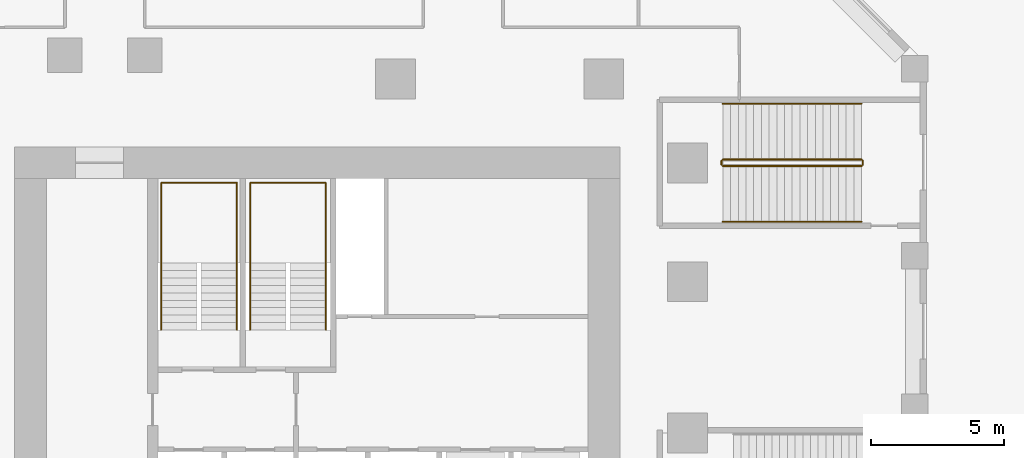
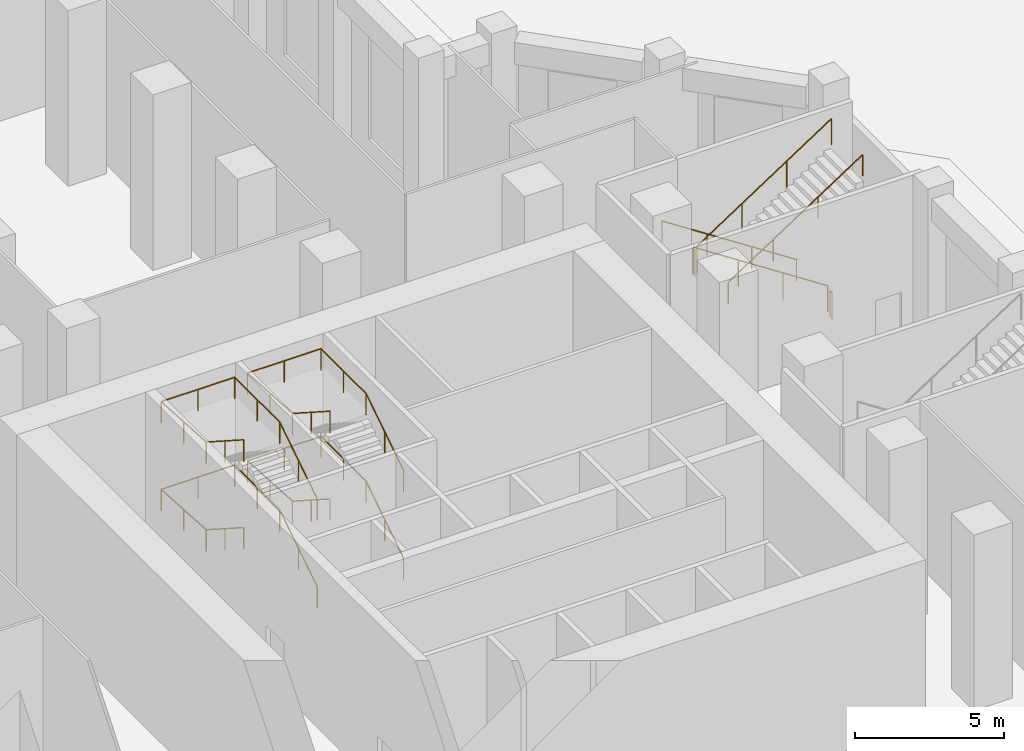
# One storey, part 25 of 27: 10 railings.
"""IFC4 building model written with IfcOpenShell, lengths in metres."""

import ifcopenshell
import ifcopenshell.guid

model = None  # the IFC model being written
_history = None  # IfcOwnerHistory: only IFC2X3 demands one
_inside = {}  # id of a spatial element -> (the spatial element, [elements in it])
_under = {}  # id of a project, library or spatial element -> (it, [spatial elements below it])
_declared = {}  # id of a project -> (the project, [libraries it declares])
_typed = {}  # id of a type object -> (the type object, [elements of that type])
_made_of = {}  # id of a material, layer set ... -> (it, [elements and type objects made of it])


def new_model(schema):
    """Start an empty IFC model of exactly this schema.

    Asked for "IFC4X3", IfcOpenShell would pick the latest addendum, in which some entities
    have other attributes; the version numbers below select the first issue.
    IFC2X3 requires an IfcOwnerHistory on every rooted entity: one is made here for all.
    """
    global model, _history
    if schema == "IFC4X3":
        model = ifcopenshell.file(schema_version=(4, 3, 0, 0))
    else:
        model = ifcopenshell.file(schema=schema)
    _inside.clear()
    _under.clear()
    _declared.clear()
    _typed.clear()
    _made_of.clear()
    _history = None
    if model.schema == "IFC2X3":
        org = make("IfcOrganization", Name="unknown")
        user = make(
            "IfcPersonAndOrganization",
            ThePerson=make("IfcPerson", FamilyName="unknown"),
            TheOrganization=org,
        )
        app = make(
            "IfcApplication",
            ApplicationDeveloper=org,
            Version="unknown",
            ApplicationFullName="unknown",
            ApplicationIdentifier="unknown",
        )
        _history = make(
            "IfcOwnerHistory",
            OwningUser=user,
            OwningApplication=app,
            ChangeAction="ADDED",
            CreationDate=0,
        )
    return model


def make(cls, **values):
    """One entity of the class cls with the attributes given. An attribute that is None is left unset."""
    return model.create_entity(
        cls, **{name: value for name, value in values.items() if value is not None}
    )


def rooted(cls, **values):
    """An entity with a GlobalId (a new one), such as an element, a storey or a relation."""
    return make(cls, GlobalId=ifcopenshell.guid.new(), OwnerHistory=_history, **values)


def si_unit(unit_type, name, prefix=None):
    """IfcSIUnit, for example si_unit("LENGTHUNIT", "METRE", prefix="MILLI")."""
    return make("IfcSIUnit", UnitType=unit_type, Prefix=prefix, Name=name)


def assignment(units):
    """IfcUnitAssignment: the units of a project."""
    return None if units is None else make("IfcUnitAssignment", Units=units)


def point(xyz):
    """IfcCartesianPoint."""
    return None if xyz is None else make("IfcCartesianPoint", Coordinates=xyz)


def direction(xyz):
    """IfcDirection."""
    return None if xyz is None else make("IfcDirection", DirectionRatios=xyz)


def frame(location, z_axis=None, x_axis=None):
    """IfcAxis2Placement3D, a coordinate frame: its origin and axes. An axis left out is left unset."""
    return make(
        "IfcAxis2Placement3D",
        Location=point(location),
        Axis=direction(z_axis),
        RefDirection=direction(x_axis),
    )


def frame_2d(location, x_axis=None):
    """IfcAxis2Placement2D, a coordinate frame in the plane: its origin and x axis."""
    return make(
        "IfcAxis2Placement2D", Location=point(location), RefDirection=direction(x_axis)
    )


def origin():
    """The frame at (0, 0, 0) with its axes left unset."""
    return frame((0.0, 0.0, 0.0))


def origin_2d():
    """The frame at (0, 0) in the plane with its x axis left unset."""
    return frame_2d((0.0, 0.0))


def place(relative_to, where):
    """IfcLocalPlacement: puts the frame where relative to a parent placement (None: the world)."""
    return make(
        "IfcLocalPlacement", PlacementRelTo=relative_to, RelativePlacement=where
    )


def context(
    kind, dimensions, precision=None, world=None, true_north=None, identifier=None
):
    """IfcGeometricRepresentationContext, for example the 3D "Model" context."""
    return make(
        "IfcGeometricRepresentationContext",
        ContextIdentifier=identifier,
        ContextType=kind,
        CoordinateSpaceDimension=dimensions,
        Precision=precision,
        WorldCoordinateSystem=world,
        TrueNorth=true_north,
    )


def subcontext(parent, identifier, kind, view, scale=None):
    """IfcGeometricRepresentationSubContext, for example "Body" below "Model"."""
    return make(
        "IfcGeometricRepresentationSubContext",
        ContextIdentifier=identifier,
        ContextType=kind,
        ParentContext=parent,
        TargetScale=scale,
        TargetView=view,
    )


def project(units=None, contexts=None):
    """IfcProject with its units and contexts."""
    return rooted(
        "IfcProject",
        Name="project",
        RepresentationContexts=contexts,
        UnitsInContext=assignment(units),
    )


def spatial(cls, under=None, at=None, **own):
    """A site, building, storey or space (cls), placed at a placement, below another one or the project."""
    s = rooted(cls, ObjectPlacement=at, **own)
    if under is not None:
        _under.setdefault(under.id(), (under, []))[1].append(s)
    return s


def profile(cls, at=None, kind="AREA", **sizes):
    """A parametric profile (cls). Its sizes go by their IFC names, for example OverallWidth=200.0."""
    return make(cls, ProfileType=kind, Position=at, **sizes)


def circle(**sizes):
    """IfcCircleProfileDef."""
    return profile("IfcCircleProfileDef", **sizes)


def extrude(swept, where, along, depth):
    """IfcExtrudedAreaSolid: the profile swept, set in the frame where, extruded along a direction by depth."""
    return make(
        "IfcExtrudedAreaSolid",
        SweptArea=swept,
        Position=where,
        ExtrudedDirection=direction(along),
        Depth=depth,
    )


def shape(context_of_items, identifier, shape_type, items):
    """IfcShapeRepresentation: the items that make up one representation, for example the "Body"."""
    return make(
        "IfcShapeRepresentation",
        ContextOfItems=context_of_items,
        RepresentationIdentifier=identifier,
        RepresentationType=shape_type,
        Items=items,
    )


def material(Name=None, Category=None):
    """IfcMaterial."""
    return make("IfcMaterial", Name=Name, Category=Category)


def made_of(thing, what):
    """Note that an element or type object is made of a material, layer set ...; save() writes the relation."""
    if what is not None:
        _made_of.setdefault(what.id(), (what, []))[1].append(thing)
    return thing


def type_object(cls, material=None, **own):
    """A type object (cls), such as IfcWallType, which elements share."""
    return made_of(rooted(cls, **own), material)


def element(
    cls,
    number,
    at=None,
    inside=None,
    cuts=None,
    type_object=None,
    material=None,
    context=None,
    identifier="Body",
    shape_type=None,
    held_by="IfcProductDefinitionShape",
    body=None,
    shapes=None,
    **own,
):
    """One element of the class cls, such as IfcWall. Its Tag is "e" and its number.

    at: its placement. inside: the storey or other place that contains it. cuts: it is an
    opening in that element (IfcRelVoidsElement). A single representation is given by context,
    identifier, shape_type and body (its items); several are given by shapes. held_by: the class
    of the entity that holds the representations. save() writes the other relations.
    """
    e = rooted(cls, Tag="e%d" % number, ObjectPlacement=at, **own)
    if body is not None:
        shapes = [shape(context, identifier, shape_type, body)]
    if shapes is not None:
        e.Representation = make(held_by, Representations=shapes)
    if inside is not None:
        _inside.setdefault(inside.id(), (inside, []))[1].append(e)
    if cuts is not None:
        rooted(
            "IfcRelVoidsElement", RelatingBuildingElement=cuts, RelatedOpeningElement=e
        )
    if type_object is not None:
        _typed.setdefault(type_object.id(), (type_object, []))[1].append(e)
    return made_of(e, material)


def aggregate(whole, parts):
    """IfcRelAggregates: a whole, such as a stair, and the parts it consists of."""
    return rooted("IfcRelAggregates", RelatingObject=whole, RelatedObjects=parts)


def save(model, path):
    """Write the relations noted so far, then the file.

    IfcRelAggregates (storeys below a building ...), IfcRelContainedInSpatialStructure (elements
    in a storey), IfcRelDefinesByType, IfcRelAssociatesMaterial and IfcRelDeclares: one each for
    every whole, place, type object, material and project.
    """
    for whole, parts in _under.values():
        aggregate(whole, parts)
    for where, things in _inside.values():
        rooted(
            "IfcRelContainedInSpatialStructure",
            RelatedElements=things,
            RelatingStructure=where,
        )
    for kind, things in _typed.values():
        rooted("IfcRelDefinesByType", RelatedObjects=things, RelatingType=kind)
    for what, things in _made_of.values():
        rooted("IfcRelAssociatesMaterial", RelatedObjects=things, RelatingMaterial=what)
    for by, libraries in _declared.values():
        rooted("IfcRelDeclares", RelatingContext=by, RelatedDefinitions=libraries)
    model.write(path)


model = new_model("IFC4")

# Units and contexts
model_context = context("Model", 3, precision=1e-05, world=origin(), true_north=direction((0.0, 1.0)))
body_context = subcontext(model_context, "Body", "Model", "MODEL_VIEW")
ifc_project = project(units=[si_unit("LENGTHUNIT", "METRE"), si_unit("AREAUNIT", "SQUARE_METRE"), si_unit("VOLUMEUNIT", "CUBIC_METRE"), si_unit("PLANEANGLEUNIT", "RADIAN"), si_unit("MASSUNIT", "GRAM", prefix="KILO")], contexts=[model_context])

# Site, building, storey
site_placement = place(None, origin())
site = spatial("IfcSite", under=ifc_project, at=site_placement, CompositionType="ELEMENT")
building_placement = place(site_placement, origin())
building = spatial("IfcBuilding", under=site, at=building_placement, Name="Meshkara Civic Tower", CompositionType="ELEMENT")
storey_placement = place(building_placement, origin())
storey = spatial("IfcBuildingStorey", under=building, at=storey_placement, Name="L00", CompositionType="ELEMENT", Elevation=0.0)

# Railings
ifc_material_1 = material(Name="Steel guard", Category="steel")
railing_type_1 = type_object("IfcRailingType", Name="Podium stair guard 1100", PredefinedType="GUARDRAIL", material=ifc_material_1)
railing_1_placement = place(storey_placement, frame((39.89990234375, 36.425048828125, 0.189453125)))
element("IfcRailing", 1, at=railing_1_placement, inside=storey, type_object=railing_type_1, Name="L00 PS6 stair guard 1", PredefinedType="GUARDRAIL", context=body_context, shape_type="SweptSolid", body=[
    extrude(circle(Radius=0.02392578125, at=origin_2d()), frame((0.0, 0.0, 1.076171875), z_axis=(-0.837146837253, 0.0, 0.546978219747), x_axis=(0.0, -1.0, 0.0)), (0.0, 0.0, 1.0), 6.2353515625),
    extrude(circle(Radius=0.02099609375, at=origin_2d()), origin(), (0.0, 0.0, 1.0), 1.052001953125),
    extrude(circle(Radius=0.02099609375, at=origin_2d()), frame((-1.739990234375, 0.0, 1.136962890625)), (0.0, 0.0, 1.0), 1.052001953125),
    extrude(circle(Radius=0.02099609375, at=origin_2d()), frame((-3.47998046875, 0.0, 2.273681640625)), (0.0, 0.0, 1.0), 1.052001953125),
    extrude(circle(Radius=0.02099609375, at=origin_2d()), frame((-5.219970703125, 0.0, 3.41064453125)), (0.0, 0.0, 1.0), 1.052001953125),
])
railing_2_placement = place(storey_placement, frame((34.6298828125, 36.375, 3.60009765625)))
element("IfcRailing", 2, at=railing_2_placement, inside=storey, type_object=railing_type_1, Name="L00 PS6 stair guard 2", PredefinedType="GUARDRAIL", context=body_context, shape_type="SweptSolid", body=[
    extrude(circle(Radius=0.02392578125, at=origin_2d()), frame((0.0, 0.0, 1.076171875), z_axis=(0.0, -1.0, 0.0), x_axis=(1.0, 0.0, 0.0)), (0.0, 0.0, 1.0), 0.14990234375),
    extrude(circle(Radius=0.02099609375, at=origin_2d()), origin(), (0.0, 0.0, 1.0), 1.052001953125),
    extrude(circle(Radius=0.02099609375, at=origin_2d()), frame((0.0, -0.14990234375, 0.0)), (0.0, 0.0, 1.0), 1.052001953125),
])
railing_3_placement = place(storey_placement, frame((34.679931640625, 36.175048828125, 3.78955078125)))
element("IfcRailing", 3, at=railing_3_placement, inside=storey, type_object=railing_type_1, Name="L00 PS6 stair guard 3", PredefinedType="GUARDRAIL", context=body_context, shape_type="SweptSolid", body=[
    extrude(circle(Radius=0.02392578125, at=origin_2d()), frame((0.0, 0.0, 1.076171875), z_axis=(0.837164765742, 0.0, 0.546950779321), x_axis=(0.0, 1.0, 0.0)), (0.0, 0.0, 1.0), 6.2353515625),
    extrude(circle(Radius=0.02099609375, at=origin_2d()), origin(), (0.0, 0.0, 1.0), 1.052001953125),
    extrude(circle(Radius=0.02099609375, at=origin_2d()), frame((1.739990234375, 0.0, 1.13671875)), (0.0, 0.0, 1.0), 1.052001953125),
    extrude(circle(Radius=0.02099609375, at=origin_2d()), frame((3.47998046875, 0.0, 2.273681640625)), (0.0, 0.0, 1.0), 1.052001953125),
    extrude(circle(Radius=0.02099609375, at=origin_2d()), frame((5.219970703125, 0.0, 3.410400390625)), (0.0, 0.0, 1.0), 1.052001953125),
])
railing_4_placement = place(storey_placement, frame((39.949951171875, 36.375, 0.0)))
element("IfcRailing", 4, at=railing_4_placement, inside=storey, type_object=railing_type_1, Name="L00 PS6 stair guard 4", PredefinedType="GUARDRAIL", context=body_context, shape_type="SweptSolid", body=[
    extrude(circle(Radius=0.02392578125, at=origin_2d()), frame((0.0, 0.0, 1.076171875), z_axis=(0.0, -1.0, 0.0), x_axis=(1.0, 0.0, 0.0)), (0.0, 0.0, 1.0), 0.14990234375),
    extrude(circle(Radius=0.02099609375, at=origin_2d()), origin(), (0.0, 0.0, 1.0), 1.052001953125),
    extrude(circle(Radius=0.02099609375, at=origin_2d()), frame((0.0, -0.14990234375, 0.0)), (0.0, 0.0, 1.0), 1.052001953125),
])
ifc_material_2 = material(Name="Steel handrail", Category="steel")
railing_type_2 = type_object("IfcRailingType", Name="Podium stair handrail 900", PredefinedType="HANDRAIL", material=ifc_material_2)
railing_5_placement = place(storey_placement, frame((39.89990234375, 38.52490234375, 0.189453125)))
element("IfcRailing", 5, at=railing_5_placement, inside=storey, type_object=railing_type_2, Name="L00 PS6 stair handrail 1", PredefinedType="HANDRAIL", context=body_context, shape_type="SweptSolid", body=[
    extrude(circle(Radius=0.02392578125, at=origin_2d()), frame((0.0, 0.0, 0.8759765625), z_axis=(-0.837146837253, 0.0, 0.546978219747), x_axis=(0.0, -1.0, 0.0)), (0.0, 0.0, 1.0), 6.2353515625),
    extrude(circle(Radius=0.02099609375, at=origin_2d()), origin(), (0.0, 0.0, 1.0), 0.851806640625),
    extrude(circle(Radius=0.02099609375, at=origin_2d()), frame((-1.739990234375, 0.0, 1.136962890625)), (0.0, 0.0, 1.0), 0.851806640625),
    extrude(circle(Radius=0.02099609375, at=origin_2d()), frame((-3.47998046875, 0.0, 2.273681640625)), (0.0, 0.0, 1.0), 0.851806640625),
    extrude(circle(Radius=0.02099609375, at=origin_2d()), frame((-5.219970703125, 0.0, 3.41064453125)), (0.0, 0.0, 1.0), 0.851806640625),
])
railing_6_placement = place(storey_placement, frame((34.679931640625, 34.074951171875, 3.78955078125)))
element("IfcRailing", 6, at=railing_6_placement, inside=storey, type_object=railing_type_2, Name="L00 PS6 stair handrail 2", PredefinedType="HANDRAIL", context=body_context, shape_type="SweptSolid", body=[
    extrude(circle(Radius=0.02392578125, at=origin_2d()), frame((0.0, 0.0, 0.8759765625), z_axis=(0.837164765742, 0.0, 0.546950779321), x_axis=(0.0, 1.0, 0.0)), (0.0, 0.0, 1.0), 6.2353515625),
    extrude(circle(Radius=0.02099609375, at=origin_2d()), origin(), (0.0, 0.0, 1.0), 0.851806640625),
    extrude(circle(Radius=0.02099609375, at=origin_2d()), frame((1.739990234375, 0.0, 1.13671875)), (0.0, 0.0, 1.0), 0.851806640625),
    extrude(circle(Radius=0.02099609375, at=origin_2d()), frame((3.47998046875, 0.0, 2.273681640625)), (0.0, 0.0, 1.0), 0.851806640625),
    extrude(circle(Radius=0.02099609375, at=origin_2d()), frame((5.219970703125, 0.0, 3.410400390625)), (0.0, 0.0, 1.0), 0.851806640625),
])
ifc_material_3 = material(Name="Steel handrail", Category="steel")
railing_type_3 = type_object("IfcRailingType", Name="Stair handrail 900", PredefinedType="HANDRAIL", material=ifc_material_3)
railing_7_placement = place(storey_placement, frame((16.375, 30.0, 0.179931640625)))
element("IfcRailing", 7, at=railing_7_placement, inside=storey, type_object=railing_type_3, Name="L00 ST1 stair handrail 1", PredefinedType="HANDRAIL", context=body_context, shape_type="SweptSolid", body=[
    extrude(circle(Radius=0.02392578125, at=origin_2d()), frame((0.0, 0.0, 0.8759765625), z_axis=(0.0, 0.841162588446, 0.540782303519), x_axis=(-1.0, 0.0, 0.0)), (0.0, 0.0, 1.0), 2.995849609375),
    extrude(circle(Radius=0.02392578125, at=origin_2d()), frame((0.0, 2.52001953125, 2.49609375), z_axis=(0.0, 1.0, 0.0), x_axis=(-1.0, 0.0, 0.0)), (0.0, 0.0, 1.0), 3.030029296875),
    extrude(circle(Radius=0.02392578125, at=origin_2d()), frame((0.0, 5.550048828125, 2.49609375), z_axis=(-1.0, 0.0, 0.0), x_axis=(0.0, -1.0, 0.0)), (0.0, 0.0, 1.0), 2.85009765625),
    extrude(circle(Radius=0.02392578125, at=origin_2d()), frame((-2.85009765625, 5.550048828125, 2.49609375), z_axis=(0.0, -0.998241490634, 0.059278380356), x_axis=(1.0, 0.0, 0.0)), (0.0, 0.0, 1.0), 3.035400390625),
    extrude(circle(Radius=0.02392578125, at=origin_2d()), frame((-2.85009765625, 2.52001953125, 2.67578125), z_axis=(0.0, -0.841162588446, 0.540782303519), x_axis=(1.0, 0.0, 0.0)), (0.0, 0.0, 1.0), 2.995849609375),
    extrude(circle(Radius=0.02099609375, at=origin_2d()), origin(), (0.0, 0.0, 1.0), 0.851806640625),
    extrude(circle(Radius=0.02099609375, at=origin_2d()), frame((0.0, 1.260009765625, 0.81005859375)), (0.0, 0.0, 1.0), 0.851806640625),
    extrude(circle(Radius=0.02099609375, at=origin_2d()), frame((0.0, 2.52001953125, 1.6201171875)), (0.0, 0.0, 1.0), 0.851806640625),
    extrude(circle(Radius=0.02099609375, at=origin_2d()), frame((0.0, 4.03515625, 1.6201171875)), (0.0, 0.0, 1.0), 0.851806640625),
    extrude(circle(Radius=0.02099609375, at=origin_2d()), frame((0.0, 5.550048828125, 1.6201171875)), (0.0, 0.0, 1.0), 0.851806640625),
    extrude(circle(Radius=0.02099609375, at=origin_2d()), frame((-1.425048828125, 5.550048828125, 1.6201171875)), (0.0, 0.0, 1.0), 0.851806640625),
    extrude(circle(Radius=0.02099609375, at=origin_2d()), frame((-2.85009765625, 5.550048828125, 1.6201171875)), (0.0, 0.0, 1.0), 0.851806640625),
    extrude(circle(Radius=0.02099609375, at=origin_2d()), frame((-2.85009765625, 4.03515625, 1.7099609375)), (0.0, 0.0, 1.0), 0.851806640625),
    extrude(circle(Radius=0.02099609375, at=origin_2d()), frame((-2.85009765625, 2.52001953125, 1.800048828125)), (0.0, 0.0, 1.0), 0.851806640625),
    extrude(circle(Radius=0.02099609375, at=origin_2d()), frame((-2.85009765625, 1.260009765625, 2.610107421875)), (0.0, 0.0, 1.0), 0.851806640625),
    extrude(circle(Radius=0.02099609375, at=origin_2d()), frame((-2.85009765625, 0.0, 3.420166015625)), (0.0, 0.0, 1.0), 0.851806640625),
])
railing_8_placement = place(storey_placement, frame((16.375, 30.0, 3.780029296875)))
element("IfcRailing", 8, at=railing_8_placement, inside=storey, type_object=railing_type_3, Name="L00 ST1 stair handrail 2", PredefinedType="HANDRAIL", context=body_context, shape_type="SweptSolid", body=[
    extrude(circle(Radius=0.02392578125, at=origin_2d()), frame((0.0, 0.0, 0.8759765625), z_axis=(0.0, 0.841199657755, 0.540724639528), x_axis=(-1.0, 0.0, 0.0)), (0.0, 0.0, 1.0), 2.995849609375),
    extrude(circle(Radius=0.02392578125, at=origin_2d()), frame((0.0, 2.52001953125, 2.49560546875), z_axis=(0.0, 1.0, 0.0), x_axis=(-1.0, 0.0, 0.0)), (0.0, 0.0, 1.0), 3.030029296875),
    extrude(circle(Radius=0.02392578125, at=origin_2d()), frame((0.0, 5.550048828125, 2.49560546875), z_axis=(-1.0, 0.0, 0.0), x_axis=(0.0, -1.0, 0.0)), (0.0, 0.0, 1.0), 2.85009765625),
    extrude(circle(Radius=0.02392578125, at=origin_2d()), frame((-2.85009765625, 5.550048828125, 2.49560546875), z_axis=(0.0, -0.998236727945, 0.059358529145), x_axis=(1.0, 0.0, 0.0)), (0.0, 0.0, 1.0), 3.035400390625),
    extrude(circle(Radius=0.02392578125, at=origin_2d()), frame((-2.85009765625, 2.52001953125, 2.67578125), z_axis=(0.0, -0.841199657755, 0.540724639528), x_axis=(1.0, 0.0, 0.0)), (0.0, 0.0, 1.0), 2.995849609375),
    extrude(circle(Radius=0.02099609375, at=origin_2d()), origin(), (0.0, 0.0, 1.0), 0.851806640625),
    extrude(circle(Radius=0.02099609375, at=origin_2d()), frame((0.0, 1.260009765625, 0.81005859375)), (0.0, 0.0, 1.0), 0.851806640625),
    extrude(circle(Radius=0.02099609375, at=origin_2d()), frame((0.0, 2.52001953125, 1.619873046875)), (0.0, 0.0, 1.0), 0.851806640625),
    extrude(circle(Radius=0.02099609375, at=origin_2d()), frame((0.0, 4.03515625, 1.619873046875)), (0.0, 0.0, 1.0), 0.851806640625),
    extrude(circle(Radius=0.02099609375, at=origin_2d()), frame((0.0, 5.550048828125, 1.619873046875)), (0.0, 0.0, 1.0), 0.851806640625),
    extrude(circle(Radius=0.02099609375, at=origin_2d()), frame((-1.425048828125, 5.550048828125, 1.619873046875)), (0.0, 0.0, 1.0), 0.851806640625),
    extrude(circle(Radius=0.02099609375, at=origin_2d()), frame((-2.85009765625, 5.550048828125, 1.619873046875)), (0.0, 0.0, 1.0), 0.851806640625),
    extrude(circle(Radius=0.02099609375, at=origin_2d()), frame((-2.85009765625, 4.03515625, 1.7099609375)), (0.0, 0.0, 1.0), 0.851806640625),
    extrude(circle(Radius=0.02099609375, at=origin_2d()), frame((-2.85009765625, 2.52001953125, 1.800048828125)), (0.0, 0.0, 1.0), 0.851806640625),
    extrude(circle(Radius=0.02099609375, at=origin_2d()), frame((-2.85009765625, 1.260009765625, 2.60986328125)), (0.0, 0.0, 1.0), 0.851806640625),
    extrude(circle(Radius=0.02099609375, at=origin_2d()), frame((-2.85009765625, 0.0, 3.419921875)), (0.0, 0.0, 1.0), 0.851806640625),
])
railing_9_placement = place(storey_placement, frame((19.72509765625, 30.0, 0.179931640625)))
element("IfcRailing", 9, at=railing_9_placement, inside=storey, type_object=railing_type_3, Name="L00 ST2 stair handrail 1", PredefinedType="HANDRAIL", context=body_context, shape_type="SweptSolid", body=[
    extrude(circle(Radius=0.02392578125, at=origin_2d()), frame((0.0, 0.0, 0.8759765625), z_axis=(0.0, 0.841162588446, 0.540782303519), x_axis=(-1.0, 0.0, 0.0)), (0.0, 0.0, 1.0), 2.995849609375),
    extrude(circle(Radius=0.02392578125, at=origin_2d()), frame((0.0, 2.52001953125, 2.49609375), z_axis=(0.0, 1.0, 0.0), x_axis=(-1.0, 0.0, 0.0)), (0.0, 0.0, 1.0), 3.030029296875),
    extrude(circle(Radius=0.02392578125, at=origin_2d()), frame((0.0, 5.550048828125, 2.49609375), z_axis=(-1.0, 0.0, 0.0), x_axis=(0.0, -1.0, 0.0)), (0.0, 0.0, 1.0), 2.85009765625),
    extrude(circle(Radius=0.02392578125, at=origin_2d()), frame((-2.85009765625, 5.550048828125, 2.49609375), z_axis=(0.0, -0.998241490634, 0.059278380356), x_axis=(1.0, 0.0, 0.0)), (0.0, 0.0, 1.0), 3.035400390625),
    extrude(circle(Radius=0.02392578125, at=origin_2d()), frame((-2.85009765625, 2.52001953125, 2.67578125), z_axis=(0.0, -0.841162588446, 0.540782303519), x_axis=(1.0, 0.0, 0.0)), (0.0, 0.0, 1.0), 2.995849609375),
    extrude(circle(Radius=0.02099609375, at=origin_2d()), origin(), (0.0, 0.0, 1.0), 0.851806640625),
    extrude(circle(Radius=0.02099609375, at=origin_2d()), frame((0.0, 1.260009765625, 0.81005859375)), (0.0, 0.0, 1.0), 0.851806640625),
    extrude(circle(Radius=0.02099609375, at=origin_2d()), frame((0.0, 2.52001953125, 1.6201171875)), (0.0, 0.0, 1.0), 0.851806640625),
    extrude(circle(Radius=0.02099609375, at=origin_2d()), frame((0.0, 4.03515625, 1.6201171875)), (0.0, 0.0, 1.0), 0.851806640625),
    extrude(circle(Radius=0.02099609375, at=origin_2d()), frame((0.0, 5.550048828125, 1.6201171875)), (0.0, 0.0, 1.0), 0.851806640625),
    extrude(circle(Radius=0.02099609375, at=origin_2d()), frame((-1.425048828125, 5.550048828125, 1.6201171875)), (0.0, 0.0, 1.0), 0.851806640625),
    extrude(circle(Radius=0.02099609375, at=origin_2d()), frame((-2.85009765625, 5.550048828125, 1.6201171875)), (0.0, 0.0, 1.0), 0.851806640625),
    extrude(circle(Radius=0.02099609375, at=origin_2d()), frame((-2.85009765625, 4.03515625, 1.7099609375)), (0.0, 0.0, 1.0), 0.851806640625),
    extrude(circle(Radius=0.02099609375, at=origin_2d()), frame((-2.85009765625, 2.52001953125, 1.800048828125)), (0.0, 0.0, 1.0), 0.851806640625),
    extrude(circle(Radius=0.02099609375, at=origin_2d()), frame((-2.85009765625, 1.260009765625, 2.610107421875)), (0.0, 0.0, 1.0), 0.851806640625),
    extrude(circle(Radius=0.02099609375, at=origin_2d()), frame((-2.85009765625, 0.0, 3.420166015625)), (0.0, 0.0, 1.0), 0.851806640625),
])
railing_10_placement = place(storey_placement, frame((19.72509765625, 30.0, 3.780029296875)))
element("IfcRailing", 10, at=railing_10_placement, inside=storey, type_object=railing_type_3, Name="L00 ST2 stair handrail 2", PredefinedType="HANDRAIL", context=body_context, shape_type="SweptSolid", body=[
    extrude(circle(Radius=0.02392578125, at=origin_2d()), frame((0.0, 0.0, 0.8759765625), z_axis=(0.0, 0.841199657755, 0.540724639528), x_axis=(-1.0, 0.0, 0.0)), (0.0, 0.0, 1.0), 2.995849609375),
    extrude(circle(Radius=0.02392578125, at=origin_2d()), frame((0.0, 2.52001953125, 2.49560546875), z_axis=(0.0, 1.0, 0.0), x_axis=(-1.0, 0.0, 0.0)), (0.0, 0.0, 1.0), 3.030029296875),
    extrude(circle(Radius=0.02392578125, at=origin_2d()), frame((0.0, 5.550048828125, 2.49560546875), z_axis=(-1.0, 0.0, 0.0), x_axis=(0.0, -1.0, 0.0)), (0.0, 0.0, 1.0), 2.85009765625),
    extrude(circle(Radius=0.02392578125, at=origin_2d()), frame((-2.85009765625, 5.550048828125, 2.49560546875), z_axis=(0.0, -0.998236727945, 0.059358529145), x_axis=(1.0, 0.0, 0.0)), (0.0, 0.0, 1.0), 3.035400390625),
    extrude(circle(Radius=0.02392578125, at=origin_2d()), frame((-2.85009765625, 2.52001953125, 2.67578125), z_axis=(0.0, -0.841199657755, 0.540724639528), x_axis=(1.0, 0.0, 0.0)), (0.0, 0.0, 1.0), 2.995849609375),
    extrude(circle(Radius=0.02099609375, at=origin_2d()), origin(), (0.0, 0.0, 1.0), 0.851806640625),
    extrude(circle(Radius=0.02099609375, at=origin_2d()), frame((0.0, 1.260009765625, 0.81005859375)), (0.0, 0.0, 1.0), 0.851806640625),
    extrude(circle(Radius=0.02099609375, at=origin_2d()), frame((0.0, 2.52001953125, 1.619873046875)), (0.0, 0.0, 1.0), 0.851806640625),
    extrude(circle(Radius=0.02099609375, at=origin_2d()), frame((0.0, 4.03515625, 1.619873046875)), (0.0, 0.0, 1.0), 0.851806640625),
    extrude(circle(Radius=0.02099609375, at=origin_2d()), frame((0.0, 5.550048828125, 1.619873046875)), (0.0, 0.0, 1.0), 0.851806640625),
    extrude(circle(Radius=0.02099609375, at=origin_2d()), frame((-1.425048828125, 5.550048828125, 1.619873046875)), (0.0, 0.0, 1.0), 0.851806640625),
    extrude(circle(Radius=0.02099609375, at=origin_2d()), frame((-2.85009765625, 5.550048828125, 1.619873046875)), (0.0, 0.0, 1.0), 0.851806640625),
    extrude(circle(Radius=0.02099609375, at=origin_2d()), frame((-2.85009765625, 4.03515625, 1.7099609375)), (0.0, 0.0, 1.0), 0.851806640625),
    extrude(circle(Radius=0.02099609375, at=origin_2d()), frame((-2.85009765625, 2.52001953125, 1.800048828125)), (0.0, 0.0, 1.0), 0.851806640625),
    extrude(circle(Radius=0.02099609375, at=origin_2d()), frame((-2.85009765625, 1.260009765625, 2.60986328125)), (0.0, 0.0, 1.0), 0.851806640625),
    extrude(circle(Radius=0.02099609375, at=origin_2d()), frame((-2.85009765625, 0.0, 3.419921875)), (0.0, 0.0, 1.0), 0.851806640625),
])

save(model, "model.ifc")
